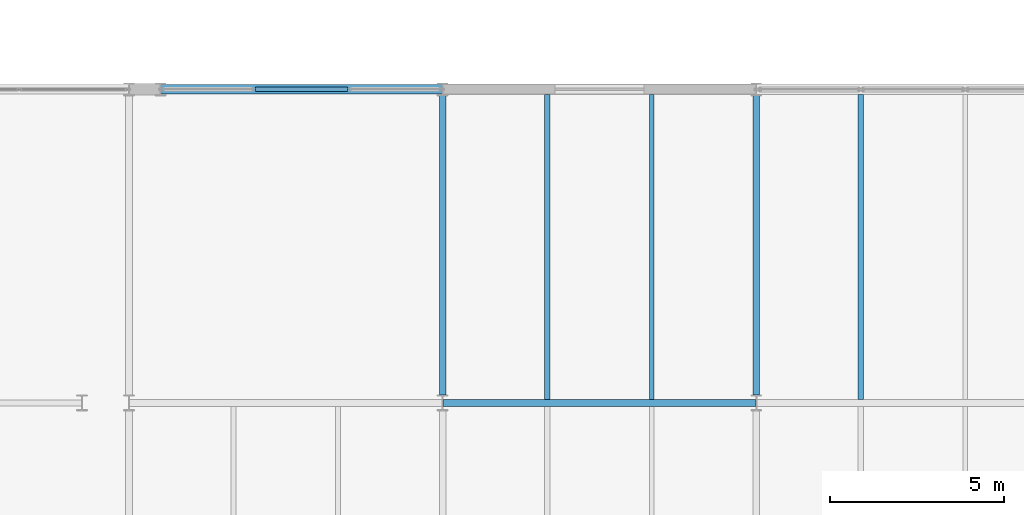
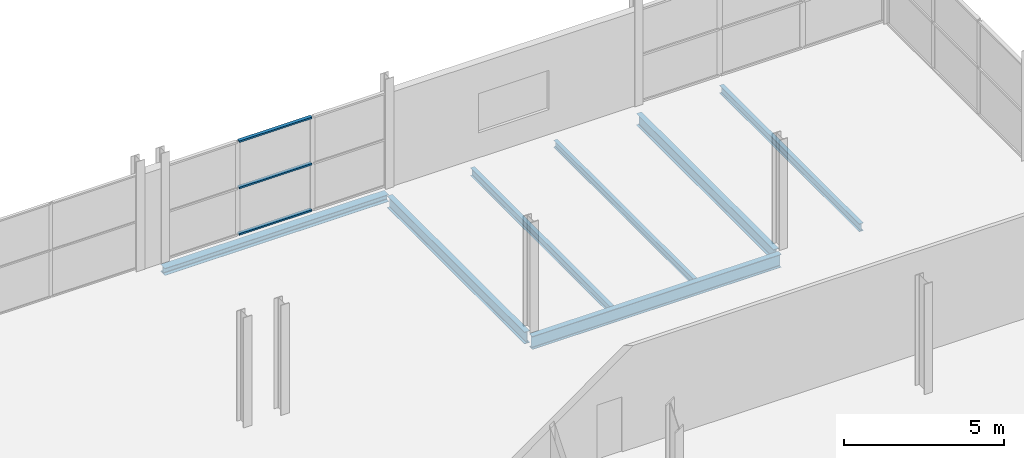
# One storey, part 68 of 103: 7 beams, 3 members, 1 element without a shape of its own.
"""IFC4 building model written with IfcOpenShell, lengths in metres."""

import ifcopenshell
import ifcopenshell.guid

model = None  # the IFC model being written
_history = None  # IfcOwnerHistory: only IFC2X3 demands one
_inside = {}  # id of a spatial element -> (the spatial element, [elements in it])
_under = {}  # id of a project, library or spatial element -> (it, [spatial elements below it])
_declared = {}  # id of a project -> (the project, [libraries it declares])
_typed = {}  # id of a type object -> (the type object, [elements of that type])
_made_of = {}  # id of a material, layer set ... -> (it, [elements and type objects made of it])


def new_model(schema):
    """Start an empty IFC model of exactly this schema.

    Asked for "IFC4X3", IfcOpenShell would pick the latest addendum, in which some entities
    have other attributes; the version numbers below select the first issue.
    IFC2X3 requires an IfcOwnerHistory on every rooted entity: one is made here for all.
    """
    global model, _history
    if schema == "IFC4X3":
        model = ifcopenshell.file(schema_version=(4, 3, 0, 0))
    else:
        model = ifcopenshell.file(schema=schema)
    _inside.clear()
    _under.clear()
    _declared.clear()
    _typed.clear()
    _made_of.clear()
    _history = None
    if model.schema == "IFC2X3":
        org = make("IfcOrganization", Name="unknown")
        user = make(
            "IfcPersonAndOrganization",
            ThePerson=make("IfcPerson", FamilyName="unknown"),
            TheOrganization=org,
        )
        app = make(
            "IfcApplication",
            ApplicationDeveloper=org,
            Version="unknown",
            ApplicationFullName="unknown",
            ApplicationIdentifier="unknown",
        )
        _history = make(
            "IfcOwnerHistory",
            OwningUser=user,
            OwningApplication=app,
            ChangeAction="ADDED",
            CreationDate=0,
        )
    return model


def make(cls, **values):
    """One entity of the class cls with the attributes given. An attribute that is None is left unset."""
    return model.create_entity(
        cls, **{name: value for name, value in values.items() if value is not None}
    )


def rooted(cls, **values):
    """An entity with a GlobalId (a new one), such as an element, a storey or a relation."""
    return make(cls, GlobalId=ifcopenshell.guid.new(), OwnerHistory=_history, **values)


def si_unit(unit_type, name, prefix=None):
    """IfcSIUnit, for example si_unit("LENGTHUNIT", "METRE", prefix="MILLI")."""
    return make("IfcSIUnit", UnitType=unit_type, Prefix=prefix, Name=name)


def assignment(units):
    """IfcUnitAssignment: the units of a project."""
    return None if units is None else make("IfcUnitAssignment", Units=units)


def point(xyz):
    """IfcCartesianPoint."""
    return None if xyz is None else make("IfcCartesianPoint", Coordinates=xyz)


def direction(xyz):
    """IfcDirection."""
    return None if xyz is None else make("IfcDirection", DirectionRatios=xyz)


def frame(location, z_axis=None, x_axis=None):
    """IfcAxis2Placement3D, a coordinate frame: its origin and axes. An axis left out is left unset."""
    return make(
        "IfcAxis2Placement3D",
        Location=point(location),
        Axis=direction(z_axis),
        RefDirection=direction(x_axis),
    )


def frame_2d(location, x_axis=None):
    """IfcAxis2Placement2D, a coordinate frame in the plane: its origin and x axis."""
    return make(
        "IfcAxis2Placement2D", Location=point(location), RefDirection=direction(x_axis)
    )


def origin():
    """The frame at (0, 0, 0) with its axes left unset."""
    return frame((0.0, 0.0, 0.0))


def origin_2d():
    """The frame at (0, 0) in the plane with its x axis left unset."""
    return frame_2d((0.0, 0.0))


def place(relative_to, where):
    """IfcLocalPlacement: puts the frame where relative to a parent placement (None: the world)."""
    return make(
        "IfcLocalPlacement", PlacementRelTo=relative_to, RelativePlacement=where
    )


def context(
    kind, dimensions, precision=None, world=None, true_north=None, identifier=None
):
    """IfcGeometricRepresentationContext, for example the 3D "Model" context."""
    return make(
        "IfcGeometricRepresentationContext",
        ContextIdentifier=identifier,
        ContextType=kind,
        CoordinateSpaceDimension=dimensions,
        Precision=precision,
        WorldCoordinateSystem=world,
        TrueNorth=true_north,
    )


def subcontext(parent, identifier, kind, view, scale=None):
    """IfcGeometricRepresentationSubContext, for example "Body" below "Model"."""
    return make(
        "IfcGeometricRepresentationSubContext",
        ContextIdentifier=identifier,
        ContextType=kind,
        ParentContext=parent,
        TargetScale=scale,
        TargetView=view,
    )


def project(units=None, contexts=None):
    """IfcProject with its units and contexts."""
    return rooted(
        "IfcProject",
        Name="project",
        RepresentationContexts=contexts,
        UnitsInContext=assignment(units),
    )


def spatial(cls, under=None, at=None, **own):
    """A site, building, storey or space (cls), placed at a placement, below another one or the project."""
    s = rooted(cls, ObjectPlacement=at, **own)
    if under is not None:
        _under.setdefault(under.id(), (under, []))[1].append(s)
    return s


def profile(cls, at=None, kind="AREA", **sizes):
    """A parametric profile (cls). Its sizes go by their IFC names, for example OverallWidth=200.0."""
    return make(cls, ProfileType=kind, Position=at, **sizes)


def hollow_rectangle(**sizes):
    """IfcRectangleHollowProfileDef."""
    return profile("IfcRectangleHollowProfileDef", **sizes)


def i_section(**sizes):
    """IfcIShapeProfileDef."""
    return profile("IfcIShapeProfileDef", **sizes)


def extrude(swept, where, along, depth):
    """IfcExtrudedAreaSolid: the profile swept, set in the frame where, extruded along a direction by depth."""
    return make(
        "IfcExtrudedAreaSolid",
        SweptArea=swept,
        Position=where,
        ExtrudedDirection=direction(along),
        Depth=depth,
    )


def shape(context_of_items, identifier, shape_type, items):
    """IfcShapeRepresentation: the items that make up one representation, for example the "Body"."""
    return make(
        "IfcShapeRepresentation",
        ContextOfItems=context_of_items,
        RepresentationIdentifier=identifier,
        RepresentationType=shape_type,
        Items=items,
    )


def material(Name=None, Category=None):
    """IfcMaterial."""
    return make("IfcMaterial", Name=Name, Category=Category)


def layer(
    of_material, thickness, ventilated=None, Name=None, Category=None, Priority=None
):
    """IfcMaterialLayer: one layer of a wall or slab, of a material (None: an air gap)."""
    return make(
        "IfcMaterialLayer",
        Material=of_material,
        LayerThickness=thickness,
        IsVentilated=ventilated,
        Name=Name,
        Category=Category,
        Priority=Priority,
    )


def layer_set(layers, Name=None):
    """IfcMaterialLayerSet."""
    return make("IfcMaterialLayerSet", MaterialLayers=layers, LayerSetName=Name)


def material_profile(
    of_material, cross_section, Name=None, Category=None, Priority=None
):
    """IfcMaterialProfile: a cross section and its material."""
    return make(
        "IfcMaterialProfile",
        Name=Name,
        Material=of_material,
        Profile=cross_section,
        Priority=Priority,
        Category=Category,
    )


def profile_set(profiles, Name=None, composite=None):
    """IfcMaterialProfileSet."""
    return make(
        "IfcMaterialProfileSet",
        Name=Name,
        MaterialProfiles=profiles,
        CompositeProfile=composite,
    )


def made_of(thing, what):
    """Note that an element or type object is made of a material, layer set ...; save() writes the relation."""
    if what is not None:
        _made_of.setdefault(what.id(), (what, []))[1].append(thing)
    return thing


def type_object(cls, material=None, **own):
    """A type object (cls), such as IfcWallType, which elements share."""
    return made_of(rooted(cls, **own), material)


def element(
    cls,
    number,
    at=None,
    inside=None,
    cuts=None,
    type_object=None,
    material=None,
    context=None,
    identifier="Body",
    shape_type=None,
    held_by="IfcProductDefinitionShape",
    body=None,
    shapes=None,
    **own,
):
    """One element of the class cls, such as IfcWall. Its Tag is "e" and its number.

    at: its placement. inside: the storey or other place that contains it. cuts: it is an
    opening in that element (IfcRelVoidsElement). A single representation is given by context,
    identifier, shape_type and body (its items); several are given by shapes. held_by: the class
    of the entity that holds the representations. save() writes the other relations.
    """
    e = rooted(cls, Tag="e%d" % number, ObjectPlacement=at, **own)
    if body is not None:
        shapes = [shape(context, identifier, shape_type, body)]
    if shapes is not None:
        e.Representation = make(held_by, Representations=shapes)
    if inside is not None:
        _inside.setdefault(inside.id(), (inside, []))[1].append(e)
    if cuts is not None:
        rooted(
            "IfcRelVoidsElement", RelatingBuildingElement=cuts, RelatedOpeningElement=e
        )
    if type_object is not None:
        _typed.setdefault(type_object.id(), (type_object, []))[1].append(e)
    return made_of(e, material)


def aggregate(whole, parts):
    """IfcRelAggregates: a whole, such as a stair, and the parts it consists of."""
    return rooted("IfcRelAggregates", RelatingObject=whole, RelatedObjects=parts)


def save(model, path):
    """Write the relations noted so far, then the file.

    IfcRelAggregates (storeys below a building ...), IfcRelContainedInSpatialStructure (elements
    in a storey), IfcRelDefinesByType, IfcRelAssociatesMaterial and IfcRelDeclares: one each for
    every whole, place, type object, material and project.
    """
    for whole, parts in _under.values():
        aggregate(whole, parts)
    for where, things in _inside.values():
        rooted(
            "IfcRelContainedInSpatialStructure",
            RelatedElements=things,
            RelatingStructure=where,
        )
    for kind, things in _typed.values():
        rooted("IfcRelDefinesByType", RelatedObjects=things, RelatingType=kind)
    for what, things in _made_of.values():
        rooted("IfcRelAssociatesMaterial", RelatedObjects=things, RelatingMaterial=what)
    for by, libraries in _declared.values():
        rooted("IfcRelDeclares", RelatingContext=by, RelatedDefinitions=libraries)
    model.write(path)


model = new_model("IFC4")

# Units and contexts
model_context = context("Model", 3, precision=1e-05, world=origin(), true_north=direction((0.0, 1.0)))
body_context = subcontext(model_context, "Body", "Model", "MODEL_VIEW")
ifc_project = project(units=[si_unit("LENGTHUNIT", "METRE"), si_unit("AREAUNIT", "SQUARE_METRE"), si_unit("VOLUMEUNIT", "CUBIC_METRE"), si_unit("PLANEANGLEUNIT", "RADIAN"), si_unit("MASSUNIT", "GRAM", prefix="KILO")], contexts=[model_context])

# Site, building, storey
site_placement = place(None, origin())
site = spatial("IfcSite", under=ifc_project, at=site_placement, CompositionType="ELEMENT")
building_placement = place(site_placement, origin())
building = spatial("IfcBuilding", under=site, at=building_placement, Name="Deido Ridge Mobility Hub", CompositionType="ELEMENT")
storey_placement = place(building_placement, frame((0.0, 0.0, 12.60009765625)))
storey = spatial("IfcBuildingStorey", under=building, at=storey_placement, Name="L03", CompositionType="ELEMENT", Elevation=12.60009765625)

# Beams
ifc_material_1 = material(Name="Steel S355J2 EN 10025-2", Category="steel")
ifc_material_profile_1 = material_profile(ifc_material_1, i_section(OverallWidth=0.18994140625, OverallDepth=0.449951171875, WebThickness=0.009521484375, FlangeThickness=0.0146484375, FilletRadius=0.02099609375, at=origin_2d()), Name="IPE 450")
ifc_profile_set_1 = profile_set([ifc_material_profile_1], Name="Steel S355J2 EN 10025-2")
beam_type_1 = type_object("IfcBeamType", Name="BM-IPE450", PredefinedType="BEAM", material=ifc_profile_set_1)
for number, where, z_axis, x_axis, name in (
    (1, (162.0, 63.22509765625, -0.489990234375), (0.0, 1.0, 0.0), (-1.0, 0.0, 0.0), "Floor beam B4"),
    (2, (171.0, 63.22509765625, -0.489990234375), (0.0, 1.0, 0.0), (-1.0, 0.0, 0.0), "Floor beam B4"),
):
    element("IfcBeam", number, at=place(storey_placement, frame(where, z_axis=z_axis, x_axis=x_axis)), inside=storey, type_object=beam_type_1, Name=name, PredefinedType="BEAM", context=body_context, shape_type="SweptSolid", body=[
        extrude(i_section(OverallWidth=0.18994140625, OverallDepth=0.449951171875, WebThickness=0.009521484375, FlangeThickness=0.0146484375, FilletRadius=0.02099609375, at=origin_2d()), origin(), (0.0, 0.0, 1.0), 8.594970703125),
    ])
ifc_material_profile_2 = material_profile(ifc_material_1, i_section(OverallWidth=0.199951171875, OverallDepth=0.5, WebThickness=0.01025390625, FlangeThickness=0.01611328125, FilletRadius=0.02099609375, at=origin_2d()), Name="IPE 500")
ifc_profile_set_2 = profile_set([ifc_material_profile_2], Name="Steel S355J2 EN 10025-2")
beam_type_2 = type_object("IfcBeamType", Name="BM-IPE500", PredefinedType="BEAM", material=ifc_profile_set_2)
beam_1_placement = place(storey_placement, frame((162.007080078125, 63.0, -0.51513671875), z_axis=(1.0, 0.0, 0.0), x_axis=(0.0, 1.0, 0.0)))
element("IfcBeam", 3, at=beam_1_placement, inside=storey, type_object=beam_type_2, Name="Floor beam B3", PredefinedType="BEAM", context=body_context, shape_type="SweptSolid", body=[
    extrude(i_section(OverallWidth=0.199951171875, OverallDepth=0.5, WebThickness=0.01025390625, FlangeThickness=0.01611328125, FilletRadius=0.02099609375, at=origin_2d()), origin(), (0.0, 0.0, 1.0), 8.98583984375),
])
ifc_material_profile_3 = material_profile(ifc_material_1, i_section(OverallWidth=0.135009765625, OverallDepth=0.27001953125, WebThickness=0.006591796875, FlangeThickness=0.01025390625, FilletRadius=0.014892578125, at=origin_2d()), Name="IPE 270")
ifc_profile_set_3 = profile_set([ifc_material_profile_3], Name="Steel S355J2 EN 10025-2")
beam_type_3 = type_object("IfcBeamType", Name="JST-IPE270", PredefinedType="JOIST", material=ifc_profile_set_3)
beam_2_placement = place(storey_placement, frame((168.0, 63.10009765625, -0.400146484375), z_axis=(0.0, 1.0, 0.0), x_axis=(-1.0, 0.0, 0.0)))
element("IfcBeam", 4, at=beam_2_placement, inside=storey, type_object=beam_type_3, Name="Composite joist J4", PredefinedType="JOIST", context=body_context, shape_type="SweptSolid", body=[
    extrude(i_section(OverallWidth=0.135009765625, OverallDepth=0.27001953125, WebThickness=0.006591796875, FlangeThickness=0.01025390625, FilletRadius=0.014892578125, at=origin_2d()), origin(), (0.0, 0.0, 1.0), 8.75),
])
ifc_material_profile_4 = material_profile(ifc_material_1, i_section(OverallWidth=0.14990234375, OverallDepth=0.300048828125, WebThickness=0.007080078125, FlangeThickness=0.0107421875, FilletRadius=0.014892578125, at=origin_2d()), Name="IPE 300")
ifc_profile_set_4 = profile_set([ifc_material_profile_4], Name="Steel S355J2 EN 10025-2")
beam_type_4 = type_object("IfcBeamType", Name="JST-IPE300", PredefinedType="JOIST", material=ifc_profile_set_4)
for number, where, z_axis, x_axis, name in (
    (5, (165.0, 63.10009765625, -0.4150390625), (0.0, 1.0, 0.0), (-1.0, 0.0, 0.0), "Composite joist J3"),
    (6, (174.0, 63.10009765625, -0.4150390625), (0.0, 1.0, 0.0), (-1.0, 0.0, 0.0), "Composite joist J3"),
):
    element("IfcBeam", number, at=place(storey_placement, frame(where, z_axis=z_axis, x_axis=x_axis)), inside=storey, type_object=beam_type_4, Name=name, PredefinedType="JOIST", context=body_context, shape_type="SweptSolid", body=[
        extrude(i_section(OverallWidth=0.14990234375, OverallDepth=0.300048828125, WebThickness=0.007080078125, FlangeThickness=0.0107421875, FilletRadius=0.014892578125, at=origin_2d()), origin(), (0.0, 0.0, 1.0), 8.75),
    ])

# Curtain wall, members
ifc_material_2 = material(Name="Anodised aluminium EN AW-6063 T6", Category="aluminium")
ifc_layer = layer(ifc_material_2, 0.16796875, Name="Anodised aluminium EN AW-6063 T6")
ifc_layer_set = layer_set([ifc_layer], Name="Anodised aluminium EN AW-6063 T6")
curtain_wall_type = type_object("IfcCurtainWallType", Name="CW-GS-4", PredefinedType="USERDEFINED", material=ifc_layer_set)
curtain_wall_placement = place(storey_placement, origin())
curtain_wall = element("IfcCurtainWall", 7, at=curtain_wall_placement, inside=storey, type_object=curtain_wall_type, Name="Unitised curtain wall GS4", ObjectType="GLAZED SCREEN", PredefinedType="USERDEFINED")
ifc_material_profile_5 = material_profile(ifc_material_2, hollow_rectangle(XDim=0.125, YDim=0.06005859375, WallThickness=0.00390625, at=origin_2d()), Name="RHS 125x60x4")
ifc_profile_set_5 = profile_set([ifc_material_profile_5], Name="Anodised aluminium EN AW-6063 T6")
member_type = type_object("IfcMemberType", Name="MEM-TRN-125X60", PredefinedType="USERDEFINED", material=ifc_profile_set_5)
member_1_placement = place(storey_placement, frame((156.632080078125, 72.0, 0.02978515625), z_axis=(1.0, 0.0, 0.0), x_axis=(0.0, 1.0, 0.0)))
member_1 = element("IfcMember", 8, at=member_1_placement, type_object=member_type, Name="GS4 transom 2.1", ObjectType="TRANSOM", PredefinedType="USERDEFINED", context=body_context, shape_type="SweptSolid", body=[
    extrude(hollow_rectangle(XDim=0.125, YDim=0.06005859375, WallThickness=0.00390625, at=origin_2d()), origin(), (0.0, 0.0, 1.0), 2.6357421875),
])
member_2_placement = place(storey_placement, frame((156.632080078125, 72.0, 1.7998046875), z_axis=(1.0, 0.0, 0.0), x_axis=(0.0, 1.0, 0.0)))
member_2 = element("IfcMember", 9, at=member_2_placement, type_object=member_type, Name="GS4 transom 2.2", ObjectType="TRANSOM", PredefinedType="USERDEFINED", context=body_context, shape_type="SweptSolid", body=[
    extrude(hollow_rectangle(XDim=0.125, YDim=0.06005859375, WallThickness=0.00390625, at=origin_2d()), origin(), (0.0, 0.0, 1.0), 2.6357421875),
])
member_3_placement = place(storey_placement, frame((156.632080078125, 72.0, 3.56982421875), z_axis=(1.0, 0.0, 0.0), x_axis=(0.0, 1.0, 0.0)))
member_3 = element("IfcMember", 10, at=member_3_placement, type_object=member_type, Name="GS4 transom 2.3", ObjectType="TRANSOM", PredefinedType="USERDEFINED", context=body_context, shape_type="SweptSolid", body=[
    extrude(hollow_rectangle(XDim=0.125, YDim=0.06005859375, WallThickness=0.00390625, at=origin_2d()), origin(), (0.0, 0.0, 1.0), 2.6357421875),
])
aggregate(curtain_wall, [member_1, member_2, member_3])

# Beam
ifc_material_profile_6 = material_profile(ifc_material_1, i_section(OverallWidth=0.280029296875, OverallDepth=0.27001953125, WebThickness=0.008056640625, FlangeThickness=0.012939453125, FilletRadius=0.02392578125, at=origin_2d()), Name="HEA 280")
ifc_profile_set_6 = profile_set([ifc_material_profile_6], Name="Steel S355J2 EN 10025-2")
beam_type_5 = type_object("IfcBeamType", Name="SPD-HEA280", PredefinedType="SPANDREL", material=ifc_profile_set_6)
beam_3_placement = place(storey_placement, frame((153.90625, 72.0, -0.400146484375), z_axis=(1.0, 0.0, 0.0), x_axis=(0.0, 1.0, 0.0)))
element("IfcBeam", 11, at=beam_3_placement, inside=storey, type_object=beam_type_5, Name="Floor beam SP2", PredefinedType="SPANDREL", context=body_context, shape_type="SweptSolid", body=[
    extrude(i_section(OverallWidth=0.280029296875, OverallDepth=0.27001953125, WebThickness=0.008056640625, FlangeThickness=0.012939453125, FilletRadius=0.02392578125, at=origin_2d()), origin(), (0.0, 0.0, 1.0), 8.087646484375),
])

save(model, "model.ifc")
